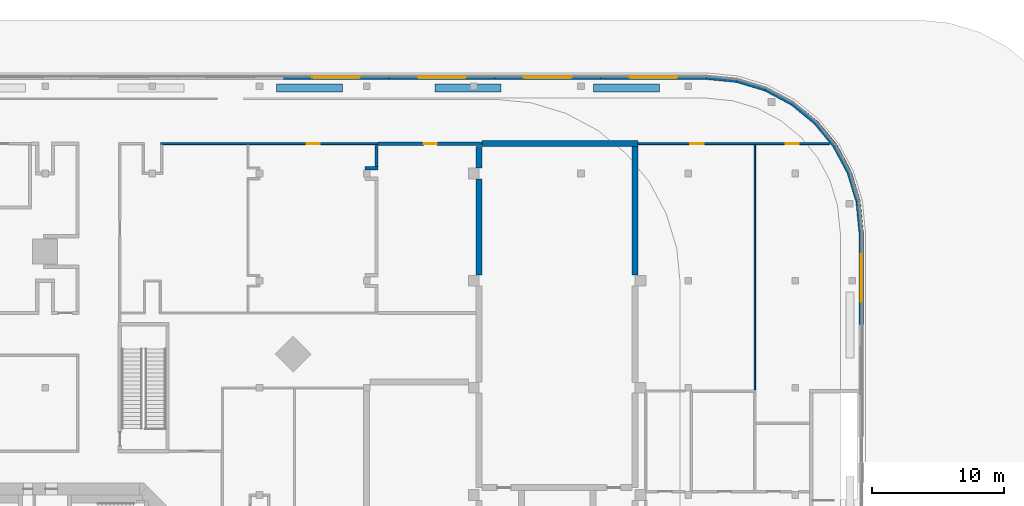
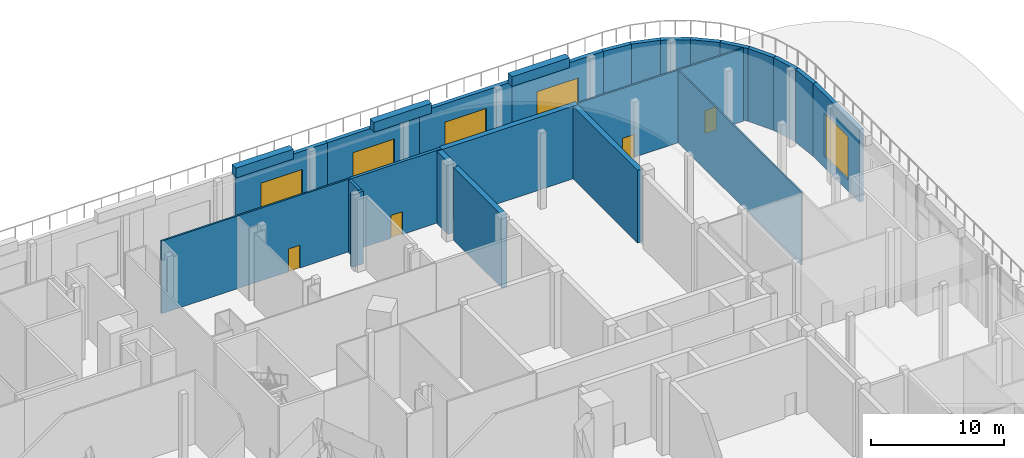
# One storey, part 16 of 21: 26 walls, 5 windows, 4 doors, 9 openings.
"""IFC4 building model written with IfcOpenShell, lengths in metres."""

from ifc_helpers import new_model, si_unit, direction, frame, frame_2d, origin, place, context, subcontext, project, spatial, rectangle, extrude, material, layer, layer_set, type_object, element, fill, save


model = new_model("IFC4")

# Units and contexts
model_context = context("Model", 3, precision=1e-05, world=origin(), true_north=direction((0.0, 1.0)))
body_context = subcontext(model_context, "Body", "Model", "MODEL_VIEW")
ifc_project = project(units=[si_unit("LENGTHUNIT", "METRE"), si_unit("AREAUNIT", "SQUARE_METRE"), si_unit("VOLUMEUNIT", "CUBIC_METRE"), si_unit("PLANEANGLEUNIT", "RADIAN"), si_unit("MASSUNIT", "GRAM", prefix="KILO")], contexts=[model_context])

# Site, building, storey
site_placement = place(None, origin())
site = spatial("IfcSite", under=ifc_project, at=site_placement, CompositionType="ELEMENT")
building_placement = place(site_placement, origin())
building = spatial("IfcBuilding", under=site, at=building_placement, Name="Torre Triforio", CompositionType="ELEMENT")
storey_placement = place(building_placement, frame((0.0, 0.0, 6.0)))
storey = spatial("IfcBuildingStorey", under=building, at=storey_placement, Name="L01", CompositionType="ELEMENT", Elevation=6.0)

# Wall, opening, door
ifc_material_1 = material(Name="Plasterboard on metal studs")
ifc_layer_1 = layer(ifc_material_1, 0.14990234375)
ifc_layer_set_1 = layer_set([ifc_layer_1], Name="Plasterboard on metal studs")
wall_type_1 = type_object("IfcWallType", Name="Corridor wall 150 EI 60", PredefinedType="PARTITIONING", material=ifc_layer_set_1)
wall_1_placement = place(storey_placement, frame((8.72509765625, 34.64990234375, 0.0), z_axis=(0.0, 0.0, 1.0), x_axis=(1.0, 0.0, 0.0)))
wall_1 = element("IfcWall", 1, at=wall_1_placement, inside=storey, type_object=wall_type_1, Name="Corridor wall L01 096", PredefinedType="PARTITIONING", context=body_context, shape_type="SweptSolid", body=[
    extrude(rectangle(XDim=16.44287109375, YDim=0.14990234375, at=frame_2d((8.221435546875, 0.0))), origin(), (0.0, 0.0, 1.0), 6.679931640625),
])
opening_1_placement = place(wall_1_placement, frame((11.031494140625, 0.0, 0.0)))
opening_1 = element("IfcOpeningElement", 2, at=opening_1_placement, cuts=wall_1, Name="Opening P1-34", PredefinedType="OPENING", context=body_context, shape_type="SweptSolid", body=[
    extrude(rectangle(XDim=1.0, YDim=2.10009765625, at=frame_2d((0.5, 1.050048828125))), frame((0.0, 0.0849609375, 0.0), z_axis=(0.0, -1.0, 0.0), x_axis=(1.0, 0.0, 0.0)), (0.0, 0.0, 1.0), 0.169921875),
])
ifc_material_2 = material(Name="Timber door leaf", Category="wood")
door_type_1 = type_object("IfcDoorType", Name="Single door 1000 x 2100 EI 30", OperationType="NOTDEFINED", PredefinedType="DOOR", material=ifc_material_2)
door_1_placement = place(opening_1_placement, origin())
door_1 = element("IfcDoor", 3, at=door_1_placement, inside=storey, type_object=door_type_1, Name="Door P1-34", OperationType="SINGLE_SWING_LEFT", OverallHeight=2.10009765625, OverallWidth=1.0, PredefinedType="DOOR", context=body_context, shape_type="SweptSolid", body=[
    extrude(rectangle(XDim=1.0, YDim=2.10009765625, at=frame_2d((0.5, 1.050048828125))), frame((0.0, 0.02490234375, 0.0), z_axis=(0.0, -1.0, 0.0), x_axis=(1.0, 0.0, 0.0)), (0.0, 0.0, 1.0), 0.050048828125),
])
fill(opening_1, door_1)

# Wall, openings, doors
wall_2_placement = place(storey_placement, frame((44.824951171875, 34.64990234375, 0.0), z_axis=(0.0, 0.0, 1.0), x_axis=(1.0, 0.0, 0.0)))
wall_2 = element("IfcWall", 4, at=wall_2_placement, inside=storey, type_object=wall_type_1, Name="Corridor wall L01 113", PredefinedType="PARTITIONING", context=body_context, shape_type="SweptSolid", body=[
    extrude(rectangle(XDim=14.45458984375, YDim=0.14990234375, at=frame_2d((7.227294921875, 0.0))), origin(), (0.0, 0.0, 1.0), 6.679931640625),
])
opening_2_placement = place(wall_2_placement, frame((3.949951171875, 0.0, 0.0)))
opening_2 = element("IfcOpeningElement", 5, at=opening_2_placement, cuts=wall_2, Name="Opening P1-24", PredefinedType="OPENING", context=body_context, shape_type="SweptSolid", body=[
    extrude(rectangle(XDim=1.0, YDim=2.10009765625, at=frame_2d((0.5, 1.050048828125))), frame((0.0, 0.0849609375, 0.0), z_axis=(0.0, -1.0, 0.0), x_axis=(1.0, 0.0, 0.0)), (0.0, 0.0, 1.0), 0.169921875),
])
opening_3_placement = place(wall_2_placement, frame((11.135009765625, 0.0, 0.0)))
opening_3 = element("IfcOpeningElement", 6, at=opening_3_placement, cuts=wall_2, Name="Opening P1-25", PredefinedType="OPENING", context=body_context, shape_type="SweptSolid", body=[
    extrude(rectangle(XDim=1.0, YDim=2.10009765625, at=frame_2d((0.5, 1.050048828125))), frame((0.0, 0.0849609375, 0.0), z_axis=(0.0, -1.0, 0.0), x_axis=(1.0, 0.0, 0.0)), (0.0, 0.0, 1.0), 0.169921875),
])
door_2_placement = place(opening_2_placement, origin())
door_2 = element("IfcDoor", 7, at=door_2_placement, inside=storey, type_object=door_type_1, Name="Door P1-24", OperationType="SINGLE_SWING_LEFT", OverallHeight=2.10009765625, OverallWidth=1.0, PredefinedType="DOOR", context=body_context, shape_type="SweptSolid", body=[
    extrude(rectangle(XDim=1.0, YDim=2.10009765625, at=frame_2d((0.5, 1.050048828125))), frame((0.0, 0.02490234375, 0.0), z_axis=(0.0, -1.0, 0.0), x_axis=(1.0, 0.0, 0.0)), (0.0, 0.0, 1.0), 0.050048828125),
])
fill(opening_2, door_2)
door_3_placement = place(opening_3_placement, origin())
door_3 = element("IfcDoor", 8, at=door_3_placement, inside=storey, type_object=door_type_1, Name="Door P1-25", OperationType="SINGLE_SWING_LEFT", OverallHeight=2.10009765625, OverallWidth=1.0, PredefinedType="DOOR", context=body_context, shape_type="SweptSolid", body=[
    extrude(rectangle(XDim=1.0, YDim=2.10009765625, at=frame_2d((0.5, 1.050048828125))), frame((0.0, 0.02490234375, 0.0), z_axis=(0.0, -1.0, 0.0), x_axis=(1.0, 0.0, 0.0)), (0.0, 0.0, 1.0), 0.050048828125),
])
fill(opening_3, door_3)

# Walls
ifc_layer_2 = layer(ifc_material_1, 0.1201171875)
ifc_layer_set_2 = layer_set([ifc_layer_2], Name="Plasterboard on metal studs")
wall_type_2 = type_object("IfcWallType", Name="Partition 120", PredefinedType="PARTITIONING", material=ifc_layer_set_2)
wall_3_placement = place(storey_placement, frame((53.64990234375, 16.02490234375, 0.0), z_axis=(0.0, 0.0, 1.0), x_axis=(0.0, 1.0, 0.0)))
element("IfcWall", 9, at=wall_3_placement, inside=storey, type_object=wall_type_2, Name="Partition L01 013", PredefinedType="PARTITIONING", context=body_context, shape_type="SweptSolid", body=[
    extrude(rectangle(XDim=18.550048828125, YDim=0.1201171875, at=frame_2d((9.27490234375, 0.0))), origin(), (0.0, 0.0, 1.0), 6.679931640625),
])
ifc_material_3 = material(Name="Masonry block", Category="masonry")
ifc_layer_3 = layer(ifc_material_3, 0.25)
ifc_layer_set_3 = layer_set([ifc_layer_3], Name="Masonry block")
wall_type_3 = type_object("IfcWallType", Name="Plant room wall 250 EI 120", PredefinedType="PARTITIONING", material=ifc_layer_set_3)
wall_4_placement = place(storey_placement, frame((24.175048828125, 32.800048828125, 0.0), z_axis=(0.0, 0.0, 1.0), x_axis=(1.0, 0.0, 0.0)))
element("IfcWall", 10, at=wall_4_placement, inside=storey, type_object=wall_type_3, Name="Plant room wall L01 107", PredefinedType="PARTITIONING", context=body_context, shape_type="SweptSolid", body=[
    extrude(rectangle(XDim=0.992919921875, YDim=0.25, at=frame_2d((0.49658203125, 0.0))), origin(), (0.0, 0.0, 1.0), 6.679931640625),
])
wall_5_placement = place(storey_placement, frame((25.04296875, 32.925048828125, 0.0), z_axis=(0.0, 0.0, 1.0), x_axis=(0.0, 1.0, 0.0)))
element("IfcWall", 11, at=wall_5_placement, inside=storey, type_object=wall_type_3, Name="Plant room wall L01 110", PredefinedType="PARTITIONING", context=body_context, shape_type="SweptSolid", body=[
    extrude(rectangle(XDim=1.599853515625, YDim=0.25, at=frame_2d((0.7998046875, 0.0))), origin(), (0.0, 0.0, 1.0), 6.679931640625),
])

# Wall, opening, door
wall_6_placement = place(storey_placement, frame((25.16796875, 34.64990234375, 0.0), z_axis=(0.0, 0.0, 1.0), x_axis=(1.0, 0.0, 0.0)))
wall_6 = element("IfcWall", 12, at=wall_6_placement, inside=storey, type_object=wall_type_3, Name="Plant room wall L01 149", PredefinedType="PARTITIONING", context=body_context, shape_type="SweptSolid", body=[
    extrude(rectangle(XDim=7.85693359375, YDim=0.25, at=frame_2d((3.928466796875, 0.0))), origin(), (0.0, 0.0, 1.0), 6.679931640625),
])
opening_4_placement = place(wall_6_placement, frame((3.449951171875, 0.0, 0.0)))
opening_4 = element("IfcOpeningElement", 13, at=opening_4_placement, cuts=wall_6, Name="Opening P1-35", PredefinedType="OPENING", context=body_context, shape_type="SweptSolid", body=[
    extrude(rectangle(XDim=1.0, YDim=2.10009765625, at=frame_2d((0.5, 1.050048828125))), frame((0.0, 0.135009765625, 0.0), z_axis=(0.0, -1.0, 0.0), x_axis=(1.0, 0.0, 0.0)), (0.0, 0.0, 1.0), 0.27001953125),
])
ifc_material_4 = material(Name="Hollow metal fire door leaf")
door_type_2 = type_object("IfcDoorType", Name="Fire door 1000 x 2100 EI 60", OperationType="NOTDEFINED", PredefinedType="DOOR", material=ifc_material_4)
door_4_placement = place(opening_4_placement, origin())
door_4 = element("IfcDoor", 14, at=door_4_placement, inside=storey, type_object=door_type_2, Name="Door P1-35", OperationType="SINGLE_SWING_LEFT", OverallHeight=2.10009765625, OverallWidth=1.0, PredefinedType="DOOR", context=body_context, shape_type="SweptSolid", body=[
    extrude(rectangle(XDim=1.0, YDim=2.10009765625, at=frame_2d((0.5, 1.050048828125))), frame((0.0, 0.02490234375, 0.0), z_axis=(0.0, -1.0, 0.0), x_axis=(1.0, 0.0, 0.0)), (0.0, 0.0, 1.0), 0.050048828125),
])
fill(opening_4, door_4)

# Wall, opening, window
ifc_material_5 = material(Name="Limestone cladding", Category="masonry")
ifc_layer_4 = layer(ifc_material_5, 0.10009765625)
ifc_material_6 = material(Name="Concrete C40", Category="concrete")
ifc_layer_5 = layer(ifc_material_6, 0.25)
ifc_layer_set_4 = layer_set([ifc_layer_4, ifc_layer_5], Name="Limestone cladding / Concrete C40")
wall_type_4 = type_object("IfcWallType", Name="Stone-clad podium wall 350", PredefinedType="STANDARD", material=ifc_layer_set_4)
wall_7_placement = place(storey_placement, frame((61.675048828125, 20.991943359375, 0.0), z_axis=(0.0, 0.0, 1.0), x_axis=(0.0, 1.0, 0.0)))
wall_7 = element("IfcWall", 15, at=wall_7_placement, inside=storey, type_object=wall_type_4, Name="External wall L01 e08.4.1.w1", PredefinedType="STANDARD", context=body_context, shape_type="SweptSolid", body=[
    extrude(rectangle(XDim=6.991943359375, YDim=0.35009765625, at=frame_2d((3.49609375, 0.0))), origin(), (0.0, 0.0, 1.0), 6.679931640625),
])
opening_5_placement = place(wall_7_placement, frame((1.696044921875, 0.0, 1.0)))
opening_5 = element("IfcOpeningElement", 16, at=opening_5_placement, cuts=wall_7, Name="Opening P1-W04", PredefinedType="OPENING", context=body_context, shape_type="SweptSolid", body=[
    extrude(rectangle(XDim=3.60009765625, YDim=4.0, at=frame_2d((1.800048828125, 2.0))), frame((0.0, 0.18505859375, 0.0), z_axis=(0.0, -1.0, 0.0), x_axis=(1.0, 0.0, 0.0)), (0.0, 0.0, 1.0), 0.3701171875),
])
ifc_material_7 = material(Name="Aluminium frame with clear double glazing", Category="aluminium")
window_type = type_object("IfcWindowType", Name="Podium window 3600 x 4000", PartitioningType="DOUBLE_PANEL_VERTICAL", PredefinedType="WINDOW", material=ifc_material_7)
window_1_placement = place(opening_5_placement, origin())
window_1 = element("IfcWindow", 17, at=window_1_placement, inside=storey, type_object=window_type, Name="Window L01 e08.4.1.w1", OverallHeight=4.0, OverallWidth=3.60009765625, PartitioningType="SINGLE_PANEL", PredefinedType="WINDOW", context=body_context, shape_type="SweptSolid", body=[
    extrude(rectangle(XDim=3.60009765625, YDim=4.0, at=frame_2d((1.800048828125, 2.0))), frame((0.0, 0.030029296875, 0.0), z_axis=(0.0, -1.0, 0.0), x_axis=(1.0, 0.0, 0.0)), (0.0, 0.0, 1.0), 0.06005859375),
])
fill(opening_5, window_1)

# Walls
wall_8_placement = place(storey_placement, frame((61.675048828125, 27.98388671875, 0.0), z_axis=(0.0, 0.0, 1.0), x_axis=(-0.097993192849, 0.995187085002, 0.0)))
element("IfcWall", 18, at=wall_8_placement, inside=storey, type_object=wall_type_4, Name="External wall L01 e09.0.w0", PredefinedType="STANDARD", context=body_context, shape_type="SweptSolid", body=[
    extrude(rectangle(XDim=2.304443359375, YDim=0.35009765625, at=frame_2d((1.15234375, 0.0))), origin(), (0.0, 0.0, 1.0), 6.679931640625),
])
wall_9_placement = place(storey_placement, frame((61.44921875, 30.27734375, 0.0), z_axis=(0.0, 0.0, 1.0), x_axis=(-0.29028274763, 0.956940921075, 0.0)))
element("IfcWall", 19, at=wall_9_placement, inside=storey, type_object=wall_type_4, Name="External wall L01 e10.0.w0", PredefinedType="STANDARD", context=body_context, shape_type="SweptSolid", body=[
    extrude(rectangle(XDim=2.28857421875, YDim=0.35009765625, at=frame_2d((1.144287109375, 0.0))), origin(), (0.0, 0.0, 1.0), 6.679931640625),
])
for number, where, z_axis, x_axis, name in (
    (20, (60.784912109375, 32.46728515625, 0.0), (0.0, 0.0, 1.0), (-0.47145739061, 0.881888841544, 0.0), "External wall L01 e11.0.w0"),
    (21, (59.7060546875, 34.4853515625, 0.0), (0.0, 0.0, 1.0), (-0.634352578082, 0.773043858187, 0.0), "External wall L01 e12.0.w0"),
    (22, (58.25439453125, 36.25439453125, 0.0), (0.0, 0.0, 1.0), (-0.773043858187, 0.634352578082, 0.0), "External wall L01 e13.0.w0"),
    (23, (56.4853515625, 37.7060546875, 0.0), (0.0, 0.0, 1.0), (-0.881888841544, 0.47145739061, 0.0), "External wall L01 e14.0.w0"),
):
    element("IfcWall", number, at=place(storey_placement, frame(where, z_axis=z_axis, x_axis=x_axis)), inside=storey, type_object=wall_type_4, Name=name, PredefinedType="STANDARD", context=body_context, shape_type="SweptSolid", body=[
        extrude(rectangle(XDim=2.288330078125, YDim=0.35009765625, at=frame_2d((1.14404296875, 0.0))), origin(), (0.0, 0.0, 1.0), 6.679931640625),
    ])
wall_10_placement = place(storey_placement, frame((54.46728515625, 38.784912109375, 0.0), z_axis=(0.0, 0.0, 1.0), x_axis=(-0.956940921075, 0.29028274763, 0.0)))
element("IfcWall", 24, at=wall_10_placement, inside=storey, type_object=wall_type_4, Name="External wall L01 e15.0.w0", PredefinedType="STANDARD", context=body_context, shape_type="SweptSolid", body=[
    extrude(rectangle(XDim=2.28857421875, YDim=0.35009765625, at=frame_2d((1.144287109375, 0.0))), origin(), (0.0, 0.0, 1.0), 6.679931640625),
])
wall_11_placement = place(storey_placement, frame((52.27734375, 39.44921875, 0.0), z_axis=(0.0, 0.0, 1.0), x_axis=(-0.995187085002, 0.097993192849, 0.0)))
element("IfcWall", 25, at=wall_11_placement, inside=storey, type_object=wall_type_4, Name="External wall L01 e16.0.w0", PredefinedType="STANDARD", context=body_context, shape_type="SweptSolid", body=[
    extrude(rectangle(XDim=2.304443359375, YDim=0.35009765625, at=frame_2d((1.15234375, 0.0))), origin(), (0.0, 0.0, 1.0), 6.679931640625),
])

# Wall, opening, window
wall_12_placement = place(storey_placement, frame((49.98388671875, 39.675048828125, 0.0), z_axis=(0.0, 0.0, 1.0), x_axis=(-1.0, 0.0, 0.0)))
wall_12 = element("IfcWall", 26, at=wall_12_placement, inside=storey, type_object=wall_type_4, Name="External wall L01 e17.0.w0", PredefinedType="STANDARD", context=body_context, shape_type="SweptSolid", body=[
    extrude(rectangle(XDim=7.996337890625, YDim=0.35009765625, at=frame_2d((3.998046875, 0.0))), origin(), (0.0, 0.0, 1.0), 6.679931640625),
])
opening_6_placement = place(wall_12_placement, frame((2.1982421875, 0.0, 1.0)))
opening_6 = element("IfcOpeningElement", 27, at=opening_6_placement, cuts=wall_12, Name="Opening P1-W05", PredefinedType="OPENING", context=body_context, shape_type="SweptSolid", body=[
    extrude(rectangle(XDim=3.60009765625, YDim=4.0, at=frame_2d((1.800048828125, 2.0))), frame((0.0, 0.18505859375, 0.0), z_axis=(0.0, -1.0, 0.0), x_axis=(1.0, 0.0, 0.0)), (0.0, 0.0, 1.0), 0.3701171875),
])
window_2_placement = place(opening_6_placement, origin())
window_2 = element("IfcWindow", 28, at=window_2_placement, inside=storey, type_object=window_type, Name="Window L01 e17.0.w0", OverallHeight=4.0, OverallWidth=3.60009765625, PartitioningType="SINGLE_PANEL", PredefinedType="WINDOW", context=body_context, shape_type="SweptSolid", body=[
    extrude(rectangle(XDim=3.60009765625, YDim=4.0, at=frame_2d((1.800048828125, 2.0))), frame((0.0, 0.030029296875, 0.0), z_axis=(0.0, -1.0, 0.0), x_axis=(1.0, 0.0, 0.0)), (0.0, 0.0, 1.0), 0.06005859375),
])
fill(opening_6, window_2)

wall_13_placement = place(storey_placement, frame((41.987548828125, 39.675048828125, 0.0), z_axis=(0.0, 0.0, 1.0), x_axis=(-1.0, 0.0, 0.0)))
wall_13 = element("IfcWall", 29, at=wall_13_placement, inside=storey, type_object=wall_type_4, Name="External wall L01 e17.0.w1", PredefinedType="STANDARD", context=body_context, shape_type="SweptSolid", body=[
    extrude(rectangle(XDim=7.996337890625, YDim=0.35009765625, at=frame_2d((3.998046875, 0.0))), origin(), (0.0, 0.0, 1.0), 6.679931640625),
])
opening_7_placement = place(wall_13_placement, frame((2.1982421875, 0.0, 1.0)))
opening_7 = element("IfcOpeningElement", 30, at=opening_7_placement, cuts=wall_13, Name="Opening P1-W06", PredefinedType="OPENING", context=body_context, shape_type="SweptSolid", body=[
    extrude(rectangle(XDim=3.60009765625, YDim=4.0, at=frame_2d((1.800048828125, 2.0))), frame((0.0, 0.18505859375, 0.0), z_axis=(0.0, -1.0, 0.0), x_axis=(1.0, 0.0, 0.0)), (0.0, 0.0, 1.0), 0.3701171875),
])
window_3_placement = place(opening_7_placement, origin())
window_3 = element("IfcWindow", 31, at=window_3_placement, inside=storey, type_object=window_type, Name="Window L01 e17.0.w1", OverallHeight=4.0, OverallWidth=3.60009765625, PartitioningType="SINGLE_PANEL", PredefinedType="WINDOW", context=body_context, shape_type="SweptSolid", body=[
    extrude(rectangle(XDim=3.60009765625, YDim=4.0, at=frame_2d((1.800048828125, 2.0))), frame((0.0, 0.030029296875, 0.0), z_axis=(0.0, -1.0, 0.0), x_axis=(1.0, 0.0, 0.0)), (0.0, 0.0, 1.0), 0.06005859375),
])
fill(opening_7, window_3)

wall_14_placement = place(storey_placement, frame((33.9912109375, 39.675048828125, 0.0), z_axis=(0.0, 0.0, 1.0), x_axis=(-1.0, 0.0, 0.0)))
wall_14 = element("IfcWall", 32, at=wall_14_placement, inside=storey, type_object=wall_type_4, Name="External wall L01 e17.0.w2", PredefinedType="STANDARD", context=body_context, shape_type="SweptSolid", body=[
    extrude(rectangle(XDim=7.99658203125, YDim=0.35009765625, at=frame_2d((3.998291015625, 0.0))), origin(), (0.0, 0.0, 1.0), 6.679931640625),
])
opening_8_placement = place(wall_14_placement, frame((2.1982421875, 0.0, 1.0)))
opening_8 = element("IfcOpeningElement", 33, at=opening_8_placement, cuts=wall_14, Name="Opening P1-W07", PredefinedType="OPENING", context=body_context, shape_type="SweptSolid", body=[
    extrude(rectangle(XDim=3.60009765625, YDim=4.0, at=frame_2d((1.800048828125, 2.0))), frame((0.0, 0.18505859375, 0.0), z_axis=(0.0, -1.0, 0.0), x_axis=(1.0, 0.0, 0.0)), (0.0, 0.0, 1.0), 0.3701171875),
])
window_4_placement = place(opening_8_placement, origin())
window_4 = element("IfcWindow", 34, at=window_4_placement, inside=storey, type_object=window_type, Name="Window L01 e17.0.w2", OverallHeight=4.0, OverallWidth=3.60009765625, PartitioningType="SINGLE_PANEL", PredefinedType="WINDOW", context=body_context, shape_type="SweptSolid", body=[
    extrude(rectangle(XDim=3.60009765625, YDim=4.0, at=frame_2d((1.800048828125, 2.0))), frame((0.0, 0.030029296875, 0.0), z_axis=(0.0, -1.0, 0.0), x_axis=(1.0, 0.0, 0.0)), (0.0, 0.0, 1.0), 0.06005859375),
])
fill(opening_8, window_4)

wall_15_placement = place(storey_placement, frame((25.99462890625, 39.675048828125, 0.0), z_axis=(0.0, 0.0, 1.0), x_axis=(-1.0, 0.0, 0.0)))
wall_15 = element("IfcWall", 35, at=wall_15_placement, inside=storey, type_object=wall_type_4, Name="External wall L01 e17.0.w3", PredefinedType="STANDARD", context=body_context, shape_type="SweptSolid", body=[
    extrude(rectangle(XDim=7.996337890625, YDim=0.35009765625, at=frame_2d((3.998046875, 0.0))), origin(), (0.0, 0.0, 1.0), 6.679931640625),
])
opening_9_placement = place(wall_15_placement, frame((2.1982421875, 0.0, 1.0)))
opening_9 = element("IfcOpeningElement", 36, at=opening_9_placement, cuts=wall_15, Name="Opening P1-W08", PredefinedType="OPENING", context=body_context, shape_type="SweptSolid", body=[
    extrude(rectangle(XDim=3.60009765625, YDim=4.0, at=frame_2d((1.800048828125, 2.0))), frame((0.0, 0.18505859375, 0.0), z_axis=(0.0, -1.0, 0.0), x_axis=(1.0, 0.0, 0.0)), (0.0, 0.0, 1.0), 0.3701171875),
])
window_5_placement = place(opening_9_placement, origin())
window_5 = element("IfcWindow", 37, at=window_5_placement, inside=storey, type_object=window_type, Name="Window L01 e17.0.w3", OverallHeight=4.0, OverallWidth=3.60009765625, PartitioningType="SINGLE_PANEL", PredefinedType="WINDOW", context=body_context, shape_type="SweptSolid", body=[
    extrude(rectangle(XDim=3.60009765625, YDim=4.0, at=frame_2d((1.800048828125, 2.0))), frame((0.0, 0.030029296875, 0.0), z_axis=(0.0, -1.0, 0.0), x_axis=(1.0, 0.0, 0.0)), (0.0, 0.0, 1.0), 0.06005859375),
])
fill(opening_9, window_5)

# Walls
ifc_material_8 = material(Name="Double leaf masonry acoustic wall", Category="masonry")
ifc_layer_6 = layer(ifc_material_8, 0.449951171875)
ifc_layer_set_5 = layer_set([ifc_layer_6], Name="Double leaf masonry acoustic wall")
wall_type_5 = type_object("IfcWallType", Name="Studio sound wall 450 EI 60", PredefinedType="PARTITIONING", material=ifc_layer_set_5)
wall_16_placement = place(storey_placement, frame((44.60009765625, 24.7099609375, 0.0), z_axis=(0.0, 0.0, 1.0), x_axis=(0.0, 1.0, 0.0)))
element("IfcWall", 38, at=wall_16_placement, inside=storey, type_object=wall_type_5, Name="Studio sound wall L01 116", PredefinedType="PARTITIONING", context=body_context, shape_type="SweptSolid", body=[
    extrude(rectangle(XDim=9.715087890625, YDim=0.449951171875, at=frame_2d((4.857421875, 0.0))), origin(), (0.0, 0.0, 1.0), 6.679931640625),
])
wall_17_placement = place(storey_placement, frame((33.02490234375, 34.64990234375, 0.0), z_axis=(0.0, 0.0, 1.0), x_axis=(1.0, 0.0, 0.0)))
element("IfcWall", 39, at=wall_17_placement, inside=storey, type_object=wall_type_5, Name="Studio sound wall L01 150", PredefinedType="PARTITIONING", context=body_context, shape_type="SweptSolid", body=[
    extrude(rectangle(XDim=11.800048828125, YDim=0.449951171875, at=frame_2d((5.89990234375, 0.0))), origin(), (0.0, 0.0, 1.0), 6.679931640625),
])
wall_18_placement = place(storey_placement, frame((32.800048828125, 24.7099609375, 0.0), z_axis=(0.0, 0.0, 1.0), x_axis=(0.0, 1.0, 0.0)))
element("IfcWall", 40, at=wall_18_placement, inside=storey, type_object=wall_type_5, Name="Studio sound wall L01 189", PredefinedType="PARTITIONING", context=body_context, shape_type="SweptSolid", body=[
    extrude(rectangle(XDim=7.280029296875, YDim=0.449951171875, at=frame_2d((3.64013671875, 0.0))), origin(), (0.0, 0.0, 1.0), 6.679931640625),
])
wall_19_placement = place(storey_placement, frame((32.800048828125, 32.81005859375, 0.0), z_axis=(0.0, 0.0, 1.0), x_axis=(0.0, 1.0, 0.0)))
element("IfcWall", 41, at=wall_19_placement, inside=storey, type_object=wall_type_5, Name="Studio sound wall L01 190", PredefinedType="PARTITIONING", context=body_context, shape_type="SweptSolid", body=[
    extrude(rectangle(XDim=1.614990234375, YDim=0.449951171875, at=frame_2d((0.8076171875, 0.0))), origin(), (0.0, 0.0, 1.0), 6.679931640625),
])
ifc_layer_7 = layer(ifc_material_5, 0.10009765625)
ifc_layer_8 = layer(ifc_material_6, 0.5)
ifc_layer_set_6 = layer_set([ifc_layer_7, ifc_layer_8], Name="Limestone cladding / Concrete C40")
wall_type_6 = type_object("IfcWallType", Name="Terrace planter wall 600", PredefinedType="PARAPET", material=ifc_layer_set_6)
for number, where, z_axis, x_axis, name in (
    (42, (46.452880859375, 38.85009765625, 7.0), (0.0, 0.0, 1.0), (-1.0, 0.0, 0.0), "Terrace T2 planter 18.1"),
    (43, (34.4716796875, 38.85009765625, 7.0), (0.0, 0.0, 1.0), (-1.0, 0.0, 0.0), "Terrace T2 planter 18.2"),
    (44, (22.490478515625, 38.85009765625, 7.0), (0.0, 0.0, 1.0), (-1.0, 0.0, 0.0), "Terrace T2 planter 18.3"),
):
    element("IfcWall", number, at=place(storey_placement, frame(where, z_axis=z_axis, x_axis=x_axis)), inside=storey, type_object=wall_type_6, Name=name, PredefinedType="PARAPET", context=body_context, shape_type="SweptSolid", body=[
        extrude(rectangle(XDim=5.0, YDim=0.60009765625, at=frame_2d((2.5, 0.0))), origin(), (0.0, 0.0, 1.0), 0.89990234375),
    ])

save(model, "model.ifc")
